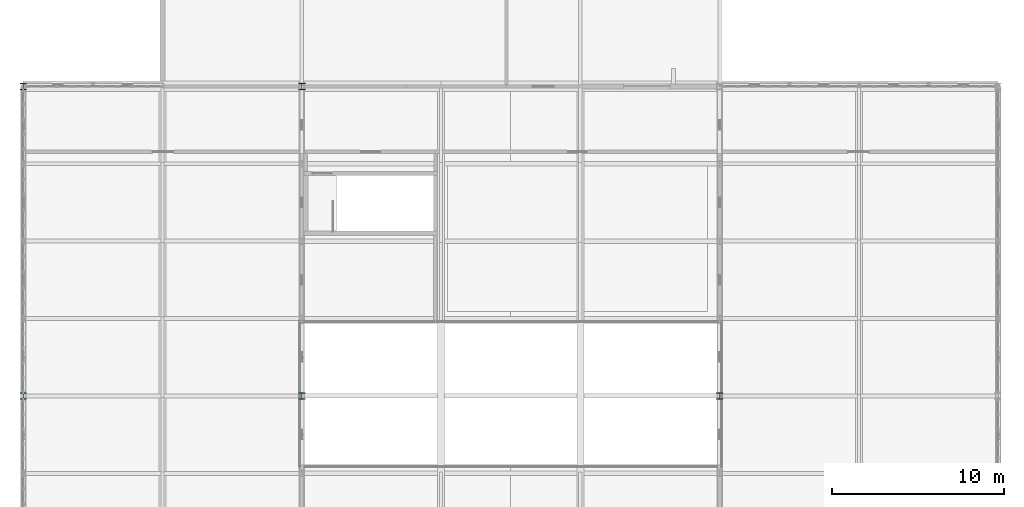
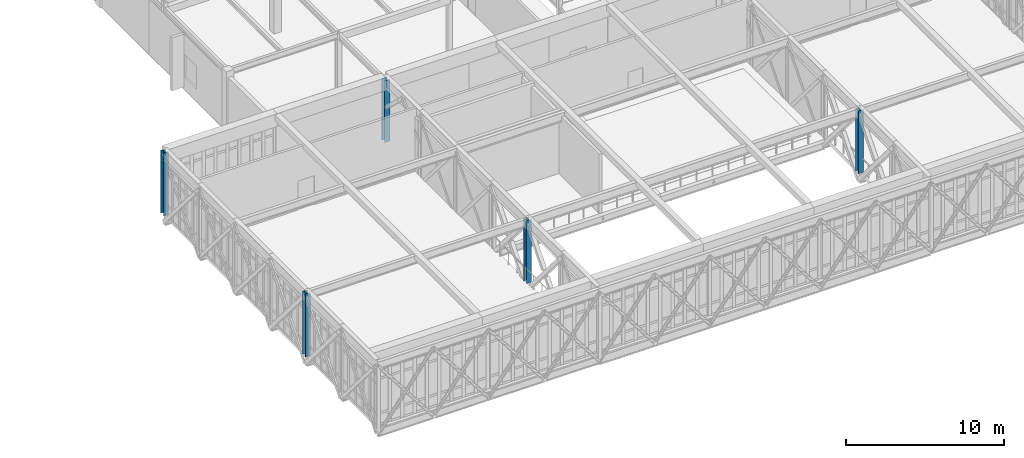
# One storey, part 1 of 70: 5 columns.
"""IFC4 building model written with IfcOpenShell, lengths in metres."""

from ifc_helpers import new_model, si_unit, direction, frame, origin, origin_2d, place, context, subcontext, project, spatial, i_section, extrude, material, material_profile, profile_set, type_object, element, save


model = new_model("IFC4")

# Units and contexts
model_context = context("Model", 3, precision=1e-05, world=origin(), true_north=direction((0.0, 1.0)))
body_context = subcontext(model_context, "Body", "Model", "MODEL_VIEW")
ifc_project = project(units=[si_unit("LENGTHUNIT", "METRE"), si_unit("AREAUNIT", "SQUARE_METRE"), si_unit("VOLUMEUNIT", "CUBIC_METRE"), si_unit("PLANEANGLEUNIT", "RADIAN"), si_unit("MASSUNIT", "GRAM", prefix="KILO")], contexts=[model_context])

# Site, building, storey
site_placement = place(None, origin())
site = spatial("IfcSite", under=ifc_project, at=site_placement, CompositionType="ELEMENT")
building_placement = place(site_placement, origin())
building = spatial("IfcBuilding", under=site, at=building_placement, Name="Tarnveldt Square Police Headquarters", CompositionType="ELEMENT")
storey_placement = place(building_placement, frame((0.0, 0.0, 19.800048828125)))
storey = spatial("IfcBuildingStorey", under=building, at=storey_placement, Name="L04", CompositionType="ELEMENT", Elevation=19.800048828125)

# Columns
ifc_material = material(Name="Steel 350W", Category="steel")
ifc_material_profile = material_profile(ifc_material, i_section(OverallWidth=0.3740234375, OverallDepth=0.3720703125, WebThickness=0.016357421875, FlangeThickness=0.026123046875, FilletRadius=0.01611328125, at=origin_2d()), Name="W360x196")
ifc_profile_set = profile_set([ifc_material_profile], Name="Steel 350W")
column_type = type_object("IfcColumnType", Name="COL-W360x196", PredefinedType="COLUMN", material=ifc_profile_set)
for number, where, z_axis, x_axis, name in (
    (1, (8.10009765625, 16.0, 0.0), (0.0, 0.0, 1.0), (1.0, 0.0, 0.0), "L04 Column 010"),
    (2, (8.10009765625, 34.0, 0.0), (0.0, 0.0, 1.0), (1.0, 0.0, 0.0), "L04 Column 011"),
    (3, (24.300048828125, 16.0, 0.0), (0.0, 0.0, 1.0), (1.0, 0.0, 0.0), "L04 Column 029"),
):
    element("IfcColumn", number, at=place(storey_placement, frame(where, z_axis=z_axis, x_axis=x_axis)), inside=storey, type_object=column_type, Name=name, PredefinedType="COLUMN", context=body_context, shape_type="SweptSolid", body=[
        extrude(i_section(OverallWidth=0.3740234375, OverallDepth=0.3720703125, WebThickness=0.016357421875, FlangeThickness=0.026123046875, FilletRadius=0.01611328125, at=origin_2d()), origin(), (0.0, 0.0, 1.0), 4.85986328125),
    ])
column_1_placement = place(storey_placement, frame((24.300048828125, 34.0, 0.0), z_axis=(0.0, 0.0, 1.0), x_axis=(1.0, 0.0, 0.0)))
element("IfcColumn", 4, at=column_1_placement, inside=storey, type_object=column_type, Name="L04 Column 030", PredefinedType="COLUMN", context=body_context, shape_type="SweptSolid", body=[
    extrude(i_section(OverallWidth=0.3740234375, OverallDepth=0.3720703125, WebThickness=0.016357421875, FlangeThickness=0.026123046875, FilletRadius=0.01611328125, at=origin_2d()), origin(), (0.0, 0.0, 1.0), 4.760009765625),
])
column_2_placement = place(storey_placement, frame((48.60009765625, 16.0, 0.0), z_axis=(0.0, 0.0, 1.0), x_axis=(1.0, 0.0, 0.0)))
element("IfcColumn", 5, at=column_2_placement, inside=storey, type_object=column_type, Name="L04 Column 070", PredefinedType="COLUMN", context=body_context, shape_type="SweptSolid", body=[
    extrude(i_section(OverallWidth=0.3740234375, OverallDepth=0.3720703125, WebThickness=0.016357421875, FlangeThickness=0.026123046875, FilletRadius=0.01611328125, at=origin_2d()), origin(), (0.0, 0.0, 1.0), 4.85986328125),
])

save(model, "model.ifc")
